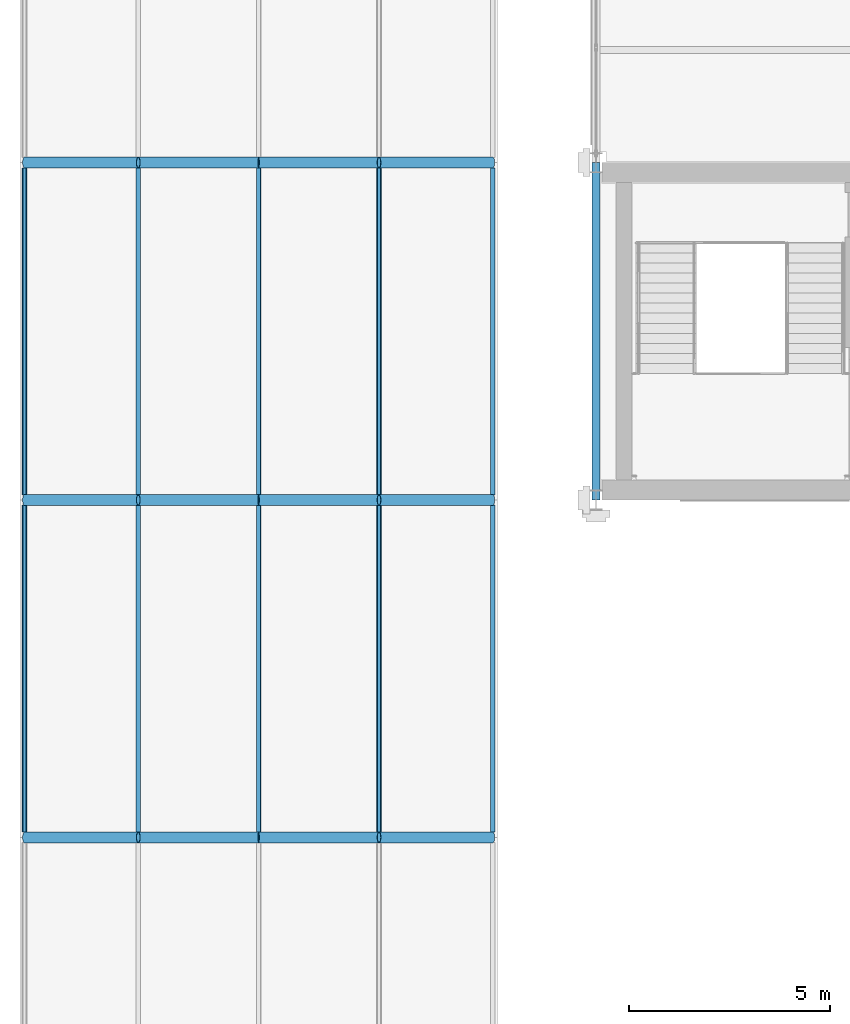
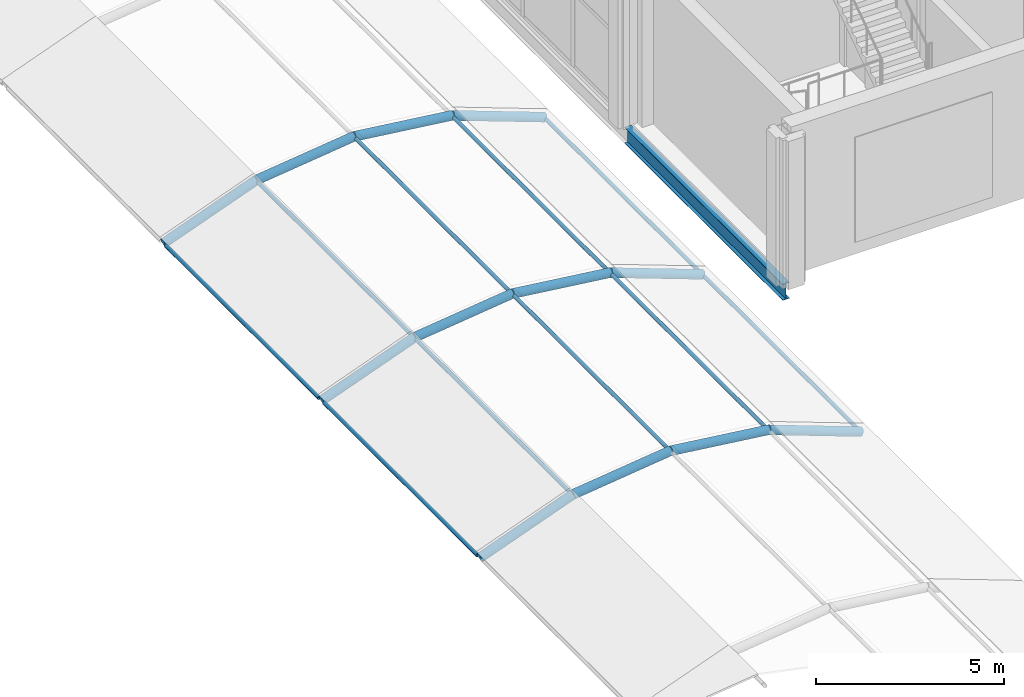
# One storey, part 117 of 167: 22 members, 1 beam.
"""IFC4 building model written with IfcOpenShell, lengths in metres."""

from ifc_helpers import new_model, si_unit, direction, frame, origin, origin_2d, place, context, subcontext, project, spatial, hollow_circle, i_section, extrude, material, material_profile, profile_set, type_object, element, save


model = new_model("IFC4")

# Units and contexts
model_context = context("Model", 3, precision=1e-05, world=origin(), true_north=direction((0.0, 1.0)))
body_context = subcontext(model_context, "Body", "Model", "MODEL_VIEW")
ifc_project = project(units=[si_unit("LENGTHUNIT", "METRE"), si_unit("AREAUNIT", "SQUARE_METRE"), si_unit("VOLUMEUNIT", "CUBIC_METRE"), si_unit("PLANEANGLEUNIT", "RADIAN"), si_unit("MASSUNIT", "GRAM", prefix="KILO")], contexts=[model_context])

# Site, building, storey
site_placement = place(None, origin())
site = spatial("IfcSite", under=ifc_project, at=site_placement, CompositionType="ELEMENT")
building_placement = place(site_placement, origin())
building = spatial("IfcBuilding", under=site, at=building_placement, Name="Catenary Quay Ferry Terminal", CompositionType="ELEMENT")
storey_placement = place(building_placement, frame((0.0, 0.0, 6.0)))
storey = spatial("IfcBuildingStorey", under=building, at=storey_placement, Name="L01", CompositionType="ELEMENT", Elevation=6.0)

# Beam
ifc_material_1 = material(Name="Steel S355", Category="steel")
ifc_material_profile_1 = material_profile(ifc_material_1, i_section(OverallWidth=0.208740234375, OverallDepth=0.5283203125, WebThickness=0.009521484375, FlangeThickness=0.01318359375, at=origin_2d()), Name="UB 533x210x82")
ifc_profile_set_1 = profile_set([ifc_material_profile_1], Name="Steel S355")
beam_type = type_object("IfcBeamType", Name="B5 UB 533x210x82", PredefinedType="BEAM", material=ifc_profile_set_1)
beam_placement = place(storey_placement, frame((25.199951171875, 159.60009765625, -0.464111328125), z_axis=(0.0, 1.0, 0.0), x_axis=(-1.0, 0.0, 0.0)))
element("IfcBeam", 1, at=beam_placement, inside=storey, type_object=beam_type, Name="Beam B5-022", PredefinedType="BEAM", context=body_context, shape_type="SweptSolid", body=[
    extrude(i_section(OverallWidth=0.208740234375, OverallDepth=0.5283203125, WebThickness=0.009521484375, FlangeThickness=0.01318359375, at=origin_2d()), origin(), (0.0, 0.0, 1.0), 8.39990234375),
])

# Members
ifc_material_2 = material(Name="Steel S355", Category="steel")
ifc_material_profile_2 = material_profile(ifc_material_2, hollow_circle(Radius=0.05712890625, WallThickness=0.00634765625, at=origin_2d()), Name="CHS 114.3x6.3")
ifc_profile_set_2 = profile_set([ifc_material_profile_2], Name="Steel S355")
member_type_1 = type_object("IfcMemberType", Name="PU2 CHS 114.3x6.3", PredefinedType="PURLIN", material=ifc_profile_set_2)
for number, where, z_axis, x_axis, name in (
    (2, (10.970947265625, 151.330078125, 0.98388671875), (0.0, 1.0, 0.0), (-1.0, 0.0, 0.0), "Purlin PU-FC-11-01"),
    (3, (13.802978515625, 151.330078125, 2.031005859375), (0.0, 1.0, 0.0), (-1.0, 0.0, 0.0), "Purlin PU-FC-11-02"),
    (4, (16.800048828125, 151.330078125, 2.39990234375), (0.0, 1.0, 0.0), (-1.0, 0.0, 0.0), "Purlin PU-FC-11-03"),
    (5, (19.797119140625, 151.330078125, 2.031005859375), (0.0, 1.0, 0.0), (-1.0, 0.0, 0.0), "Purlin PU-FC-11-04"),
    (6, (22.62890625, 151.330078125, 0.98388671875), (0.0, 1.0, 0.0), (-1.0, 0.0, 0.0), "Purlin PU-FC-11-05"),
):
    element("IfcMember", number, at=place(storey_placement, frame(where, z_axis=z_axis, x_axis=x_axis)), inside=storey, type_object=member_type_1, Name=name, PredefinedType="PURLIN", context=body_context, shape_type="SweptSolid", body=[
        extrude(hollow_circle(Radius=0.05712890625, WallThickness=0.00634765625, at=origin_2d()), origin(), (0.0, 0.0, 1.0), 8.139892578125),
    ])
for number, where, z_axis, x_axis, name in (
    (7, (10.970947265625, 159.72998046875, 0.98388671875), (0.0, 1.0, 0.0), (-1.0, 0.0, 0.0), "Purlin PU-FC-12-01"),
    (8, (13.802978515625, 159.72998046875, 2.031005859375), (0.0, 1.0, 0.0), (-1.0, 0.0, 0.0), "Purlin PU-FC-12-02"),
    (9, (16.800048828125, 159.72998046875, 2.39990234375), (0.0, 1.0, 0.0), (-1.0, 0.0, 0.0), "Purlin PU-FC-12-03"),
    (10, (19.797119140625, 159.72998046875, 2.031005859375), (0.0, 1.0, 0.0), (-1.0, 0.0, 0.0), "Purlin PU-FC-12-04"),
    (11, (22.62890625, 159.72998046875, 0.98388671875), (0.0, 1.0, 0.0), (-1.0, 0.0, 0.0), "Purlin PU-FC-12-05"),
):
    element("IfcMember", number, at=place(storey_placement, frame(where, z_axis=z_axis, x_axis=x_axis)), inside=storey, type_object=member_type_1, Name=name, PredefinedType="PURLIN", context=body_context, shape_type="SweptSolid", body=[
        extrude(hollow_circle(Radius=0.05712890625, WallThickness=0.00634765625, at=origin_2d()), origin(), (0.0, 0.0, 1.0), 8.14013671875),
    ])
ifc_material_3 = material(Name="Steel S355", Category="steel")
ifc_material_profile_3 = material_profile(ifc_material_3, hollow_circle(Radius=0.136474609375, WallThickness=0.012451171875, at=origin_2d()), Name="CHS 273x12.5")
ifc_profile_set_3 = profile_set([ifc_material_profile_3], Name="Steel S355")
member_type_2 = type_object("IfcMemberType", Name="VR2 CHS 273x12.5", PredefinedType="RAFTER", material=ifc_profile_set_3)
member_1_placement = place(storey_placement, frame((10.970947265625, 151.199951171875, 0.98388671875), z_axis=(0.937940762231, 0.0, 0.346795511139), x_axis=(0.0, 1.0, 0.0)))
element("IfcMember", 12, at=member_1_placement, inside=storey, type_object=member_type_2, Name="rib FC-11-02", PredefinedType="RAFTER", context=body_context, shape_type="SweptSolid", body=[
    extrude(hollow_circle(Radius=0.136474609375, WallThickness=0.012451171875, at=origin_2d()), origin(), (0.0, 0.0, 1.0), 3.01953125),
])
for number, where, z_axis, x_axis, name in (
    (13, (13.802978515625, 151.199951171875, 2.031005859375), (0.992509955251, 0.0, 0.122163778298), (0.0, 1.0, 0.0), "rib FC-11-03"),
    (14, (16.800048828125, 151.199951171875, 2.39990234375), (0.992509955251, 0.0, -0.122163778298), (0.0, 1.0, 0.0), "rib FC-11-04"),
):
    element("IfcMember", number, at=place(storey_placement, frame(where, z_axis=z_axis, x_axis=x_axis)), inside=storey, type_object=member_type_2, Name=name, PredefinedType="RAFTER", context=body_context, shape_type="SweptSolid", body=[
        extrude(hollow_circle(Radius=0.136474609375, WallThickness=0.012451171875, at=origin_2d()), origin(), (0.0, 0.0, 1.0), 3.019775390625),
    ])
member_2_placement = place(storey_placement, frame((19.797119140625, 151.199951171875, 2.031005859375), z_axis=(0.93793103669, 0.0, -0.346821813636), x_axis=(0.0, 1.0, 0.0)))
element("IfcMember", 15, at=member_2_placement, inside=storey, type_object=member_type_2, Name="rib FC-11-05", PredefinedType="RAFTER", context=body_context, shape_type="SweptSolid", body=[
    extrude(hollow_circle(Radius=0.136474609375, WallThickness=0.012451171875, at=origin_2d()), origin(), (0.0, 0.0, 1.0), 3.019287109375),
])
member_3_placement = place(storey_placement, frame((10.970947265625, 159.60009765625, 0.98388671875), z_axis=(0.937940762231, 0.0, 0.346795511139), x_axis=(0.0, 1.0, 0.0)))
element("IfcMember", 16, at=member_3_placement, inside=storey, type_object=member_type_2, Name="rib FC-12-02", PredefinedType="RAFTER", context=body_context, shape_type="SweptSolid", body=[
    extrude(hollow_circle(Radius=0.136474609375, WallThickness=0.012451171875, at=origin_2d()), origin(), (0.0, 0.0, 1.0), 3.01953125),
])
for number, where, z_axis, x_axis, name in (
    (17, (13.802978515625, 159.60009765625, 2.031005859375), (0.992509955251, 0.0, 0.122163778298), (0.0, 1.0, 0.0), "rib FC-12-03"),
    (18, (16.800048828125, 159.60009765625, 2.39990234375), (0.992509955251, 0.0, -0.122163778298), (0.0, 1.0, 0.0), "rib FC-12-04"),
):
    element("IfcMember", number, at=place(storey_placement, frame(where, z_axis=z_axis, x_axis=x_axis)), inside=storey, type_object=member_type_2, Name=name, PredefinedType="RAFTER", context=body_context, shape_type="SweptSolid", body=[
        extrude(hollow_circle(Radius=0.136474609375, WallThickness=0.012451171875, at=origin_2d()), origin(), (0.0, 0.0, 1.0), 3.019775390625),
    ])
member_4_placement = place(storey_placement, frame((19.797119140625, 159.60009765625, 2.031005859375), z_axis=(0.93793103669, 0.0, -0.346821813636), x_axis=(0.0, 1.0, 0.0)))
element("IfcMember", 19, at=member_4_placement, inside=storey, type_object=member_type_2, Name="rib FC-12-05", PredefinedType="RAFTER", context=body_context, shape_type="SweptSolid", body=[
    extrude(hollow_circle(Radius=0.136474609375, WallThickness=0.012451171875, at=origin_2d()), origin(), (0.0, 0.0, 1.0), 3.019287109375),
])
member_5_placement = place(storey_placement, frame((10.970947265625, 168.0, 0.98388671875), z_axis=(0.937940762231, 0.0, 0.346795511139), x_axis=(0.0, 1.0, 0.0)))
element("IfcMember", 20, at=member_5_placement, inside=storey, type_object=member_type_2, Name="rib FC-13-02", PredefinedType="RAFTER", context=body_context, shape_type="SweptSolid", body=[
    extrude(hollow_circle(Radius=0.136474609375, WallThickness=0.012451171875, at=origin_2d()), origin(), (0.0, 0.0, 1.0), 3.01953125),
])
for number, where, z_axis, x_axis, name in (
    (21, (13.802978515625, 168.0, 2.031005859375), (0.992509955251, 0.0, 0.122163778298), (0.0, 1.0, 0.0), "rib FC-13-03"),
    (22, (16.800048828125, 168.0, 2.39990234375), (0.992509955251, 0.0, -0.122163778298), (0.0, 1.0, 0.0), "rib FC-13-04"),
):
    element("IfcMember", number, at=place(storey_placement, frame(where, z_axis=z_axis, x_axis=x_axis)), inside=storey, type_object=member_type_2, Name=name, PredefinedType="RAFTER", context=body_context, shape_type="SweptSolid", body=[
        extrude(hollow_circle(Radius=0.136474609375, WallThickness=0.012451171875, at=origin_2d()), origin(), (0.0, 0.0, 1.0), 3.019775390625),
    ])
member_6_placement = place(storey_placement, frame((19.797119140625, 168.0, 2.031005859375), z_axis=(0.93793103669, 0.0, -0.346821813636), x_axis=(0.0, 1.0, 0.0)))
element("IfcMember", 23, at=member_6_placement, inside=storey, type_object=member_type_2, Name="rib FC-13-05", PredefinedType="RAFTER", context=body_context, shape_type="SweptSolid", body=[
    extrude(hollow_circle(Radius=0.136474609375, WallThickness=0.012451171875, at=origin_2d()), origin(), (0.0, 0.0, 1.0), 3.019287109375),
])

save(model, "model.ifc")
